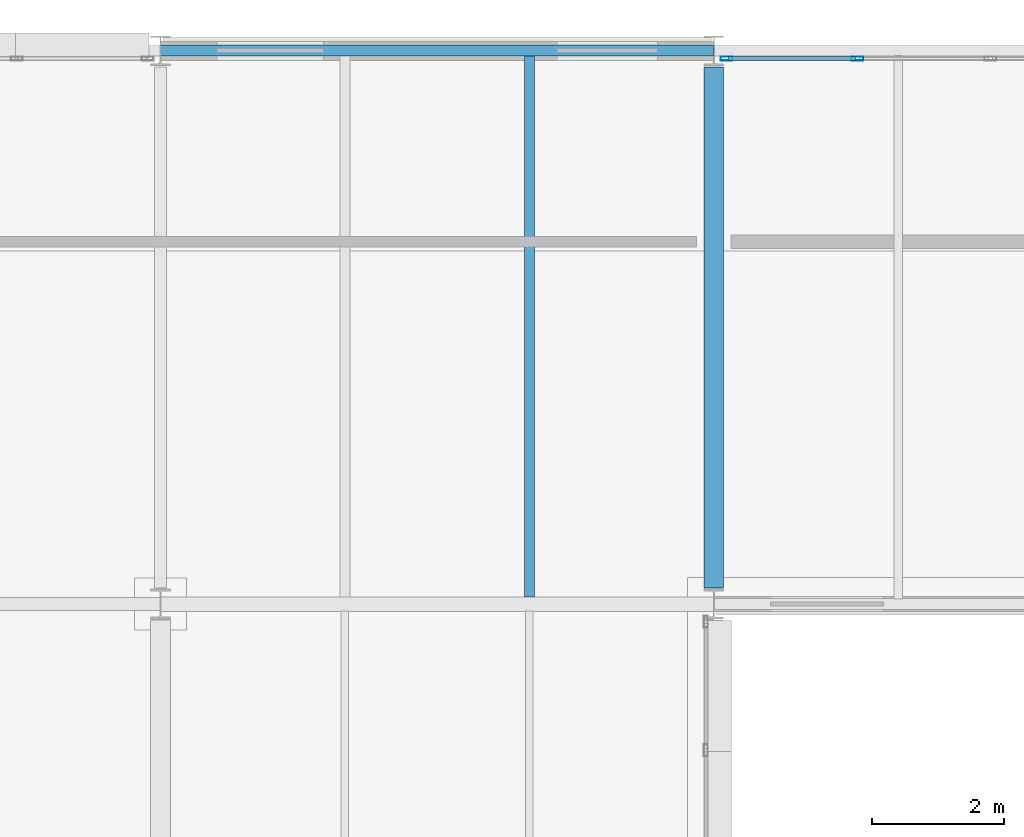
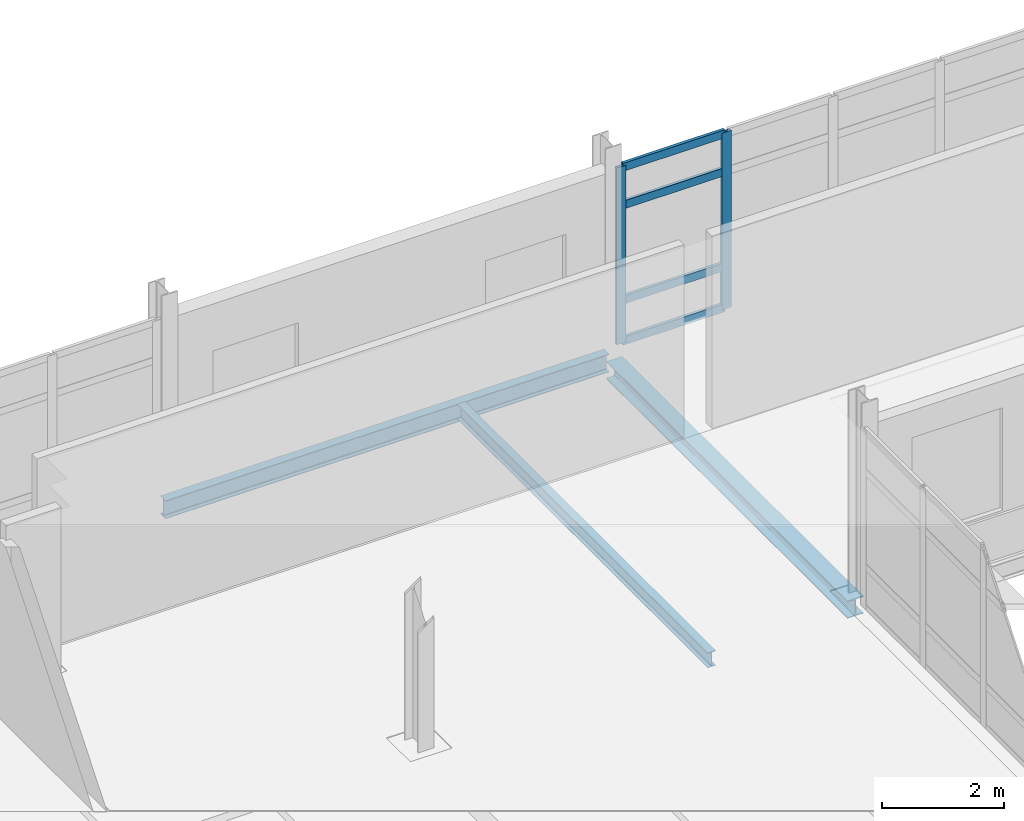
# One storey, part 55 of 103: 6 members, 3 beams, 1 element without a shape of its own.
"""IFC4 building model written with IfcOpenShell, lengths in metres."""

from ifc_helpers import new_model, si_unit, direction, frame, origin, origin_2d, place, context, subcontext, project, spatial, hollow_rectangle, i_section, extrude, material, material_profile, profile_set, type_object, element, aggregate, save


model = new_model("IFC4")

# Units and contexts
model_context = context("Model", 3, precision=1e-05, world=origin(), true_north=direction((0.0, 1.0)))
body_context = subcontext(model_context, "Body", "Model", "MODEL_VIEW")
ifc_project = project(units=[si_unit("LENGTHUNIT", "METRE"), si_unit("AREAUNIT", "SQUARE_METRE"), si_unit("VOLUMEUNIT", "CUBIC_METRE"), si_unit("PLANEANGLEUNIT", "RADIAN"), si_unit("MASSUNIT", "GRAM", prefix="KILO")], contexts=[model_context])

# Site, building, storey
site_placement = place(None, origin())
site = spatial("IfcSite", under=ifc_project, at=site_placement, CompositionType="ELEMENT")
building_placement = place(site_placement, origin())
building = spatial("IfcBuilding", under=site, at=building_placement, Name="Mersafa Astral City Hall", CompositionType="ELEMENT")
storey_placement = place(building_placement, frame((0.0, 0.0, 18.0)))
storey = spatial("IfcBuildingStorey", under=building, at=storey_placement, Name="L04", CompositionType="ELEMENT", Elevation=18.0)

# Curtain wall, members
ifc_material_1 = material(Name="Anodised bronze aluminium framing", Category="aluminium")
curtain_wall_type = type_object("IfcCurtainWallType", Name="ENV-CW-3", PredefinedType="USERDEFINED", material=ifc_material_1)
curtain_wall_placement = place(storey_placement, origin())
curtain_wall = element("IfcCurtainWall", 1, at=curtain_wall_placement, inside=storey, type_object=curtain_wall_type, Name="L04 Unitised solar curtain wall 194", ObjectType="UNITISED CURTAIN WALL", PredefinedType="USERDEFINED")
ifc_material_profile_1 = material_profile(ifc_material_1, hollow_rectangle(XDim=0.06005859375, YDim=0.179931640625, WallThickness=0.00390625, at=origin_2d()), Name="RHS 60x180x4")
ifc_profile_set_1 = profile_set([ifc_material_profile_1], Name="Anodised bronze aluminium framing")
member_type_1 = type_object("IfcMemberType", Name="ENV-CW-MUL-1", PredefinedType="MULLION", material=ifc_profile_set_1)
member_1_placement = place(storey_placement, frame((119.781005859375, 125.8798828125, -0.001953125), z_axis=(0.0, 0.0, 1.0), x_axis=(0.0, -1.0, 0.0)))
member_1 = element("IfcMember", 2, at=member_1_placement, type_object=member_type_1, Name="CW-3 mullion 4", PredefinedType="MULLION", context=body_context, shape_type="SweptSolid", body=[
    extrude(hollow_rectangle(XDim=0.06005859375, YDim=0.179931640625, WallThickness=0.00390625, at=origin_2d()), origin(), (0.0, 0.0, 1.0), 3.5390625),
])
member_2_placement = place(storey_placement, frame((117.7919921875, 125.8798828125, -0.001953125), z_axis=(0.0, 0.0, 1.0), x_axis=(0.0, -1.0, 0.0)))
member_2 = element("IfcMember", 3, at=member_2_placement, type_object=member_type_1, Name="CW-3 mullion 5", PredefinedType="MULLION", context=body_context, shape_type="SweptSolid", body=[
    extrude(hollow_rectangle(XDim=0.06005859375, YDim=0.179931640625, WallThickness=0.00390625, at=origin_2d()), origin(), (0.0, 0.0, 1.0), 3.5390625),
])
ifc_material_profile_2 = material_profile(ifc_material_1, hollow_rectangle(XDim=0.06005859375, YDim=0.159912109375, WallThickness=0.00390625, at=origin_2d()), Name="RHS 60x160x4")
ifc_profile_set_2 = profile_set([ifc_material_profile_2], Name="Anodised bronze aluminium framing")
member_type_2 = type_object("IfcMemberType", Name="ENV-CW-TRN-2", PredefinedType="USERDEFINED", material=ifc_profile_set_2)
member_3_placement = place(storey_placement, frame((119.7509765625, 125.8798828125, 0.028076171875), z_axis=(-1.0, 0.0, 0.0), x_axis=(0.0, -1.0, 0.0)))
member_3 = element("IfcMember", 4, at=member_3_placement, type_object=member_type_2, Name="CW-3 transom 4.1", ObjectType="TRANSOM", PredefinedType="USERDEFINED", context=body_context, shape_type="SweptSolid", body=[
    extrude(hollow_rectangle(XDim=0.06005859375, YDim=0.159912109375, WallThickness=0.00390625, at=origin_2d()), origin(), (0.0, 0.0, 1.0), 1.928955078125),
])
member_4_placement = place(storey_placement, frame((119.7509765625, 125.8798828125, 0.85009765625), z_axis=(-1.0, 0.0, 0.0), x_axis=(0.0, -1.0, 0.0)))
member_4 = element("IfcMember", 5, at=member_4_placement, type_object=member_type_2, Name="CW-3 transom 4.2", ObjectType="TRANSOM", PredefinedType="USERDEFINED", context=body_context, shape_type="SweptSolid", body=[
    extrude(hollow_rectangle(XDim=0.06005859375, YDim=0.159912109375, WallThickness=0.00390625, at=origin_2d()), origin(), (0.0, 0.0, 1.0), 1.928955078125),
])
member_5_placement = place(storey_placement, frame((119.7509765625, 125.8798828125, 2.75), z_axis=(-1.0, 0.0, 0.0), x_axis=(0.0, -1.0, 0.0)))
member_5 = element("IfcMember", 6, at=member_5_placement, type_object=member_type_2, Name="CW-3 transom 4.3", ObjectType="TRANSOM", PredefinedType="USERDEFINED", context=body_context, shape_type="SweptSolid", body=[
    extrude(hollow_rectangle(XDim=0.06005859375, YDim=0.159912109375, WallThickness=0.00390625, at=origin_2d()), origin(), (0.0, 0.0, 1.0), 1.928955078125),
])
member_6_placement = place(storey_placement, frame((119.7509765625, 125.8798828125, 3.507080078125), z_axis=(-1.0, 0.0, 0.0), x_axis=(0.0, -1.0, 0.0)))
member_6 = element("IfcMember", 7, at=member_6_placement, type_object=member_type_2, Name="CW-3 transom 4.4", ObjectType="TRANSOM", PredefinedType="USERDEFINED", context=body_context, shape_type="SweptSolid", body=[
    extrude(hollow_rectangle(XDim=0.06005859375, YDim=0.159912109375, WallThickness=0.00390625, at=origin_2d()), origin(), (0.0, 0.0, 1.0), 1.928955078125),
])
aggregate(curtain_wall, [member_1, member_2, member_3, member_4, member_5, member_6])

# Beams
ifc_material_2 = material(Name="Steel S355", Category="steel")
ifc_material_profile_3 = material_profile(ifc_material_2, i_section(OverallWidth=0.300048828125, OverallDepth=0.35009765625, WebThickness=0.010009765625, FlangeThickness=0.017578125, FilletRadius=0.027099609375, at=origin_2d()), Name="HEA 360")
ifc_profile_set_3 = profile_set([ifc_material_profile_3], Name="Steel S355")
beam_type_1 = type_object("IfcBeamType", Name="STR-BM-HEA360", PredefinedType="BEAM", material=ifc_profile_set_3)
beam_1_placement = place(storey_placement, frame((117.60009765625, 117.844970703125, -0.360107421875), z_axis=(0.0, 1.0, 0.0), x_axis=(-1.0, 0.0, 0.0)))
element("IfcBeam", 8, at=beam_1_placement, inside=storey, type_object=beam_type_1, Name="L04 Primary girder Y 14-14", PredefinedType="BEAM", context=body_context, shape_type="SweptSolid", body=[
    extrude(i_section(OverallWidth=0.300048828125, OverallDepth=0.35009765625, WebThickness=0.010009765625, FlangeThickness=0.017578125, FilletRadius=0.027099609375, at=origin_2d()), origin(), (0.0, 0.0, 1.0), 7.909912109375),
])
ifc_material_profile_4 = material_profile(ifc_material_2, i_section(OverallWidth=0.14990234375, OverallDepth=0.300048828125, WebThickness=0.007080078125, FlangeThickness=0.0107421875, FilletRadius=0.014892578125, at=origin_2d()), Name="IPE 300")
ifc_profile_set_4 = profile_set([ifc_material_profile_4], Name="Steel S355")
beam_type_2 = type_object("IfcBeamType", Name="STR-BM-JOIST-IPE300", PredefinedType="JOIST", material=ifc_profile_set_4)
beam_2_placement = place(storey_placement, frame((114.800048828125, 117.705078125, -0.3349609375), z_axis=(0.0, 1.0, 0.0), x_axis=(-1.0, 0.0, 0.0)))
element("IfcBeam", 9, at=beam_2_placement, inside=storey, type_object=beam_type_2, Name="L04 Composite secondary floor joist 745", PredefinedType="JOIST", context=body_context, shape_type="SweptSolid", body=[
    extrude(i_section(OverallWidth=0.14990234375, OverallDepth=0.300048828125, WebThickness=0.007080078125, FlangeThickness=0.0107421875, FilletRadius=0.014892578125, at=origin_2d()), origin(), (0.0, 0.0, 1.0), 8.21484375),
])
ifc_material_profile_5 = material_profile(ifc_material_2, i_section(OverallWidth=0.169921875, OverallDepth=0.360107421875, WebThickness=0.008056640625, FlangeThickness=0.0126953125, FilletRadius=0.01806640625, at=origin_2d()), Name="IPE 360")
ifc_profile_set_5 = profile_set([ifc_material_profile_5], Name="Steel S355")
beam_type_3 = type_object("IfcBeamType", Name="STR-BM-SPANDREL-IPE360", PredefinedType="SPANDREL", material=ifc_profile_set_5)
beam_3_placement = place(storey_placement, frame((109.202880859375, 126.0, -0.364990234375), z_axis=(1.0, 0.0, 0.0), x_axis=(0.0, 1.0, 0.0)))
element("IfcBeam", 10, at=beam_3_placement, inside=storey, type_object=beam_type_3, Name="L04 Primary girder X 13-15", PredefinedType="SPANDREL", context=body_context, shape_type="SweptSolid", body=[
    extrude(i_section(OverallWidth=0.169921875, OverallDepth=0.360107421875, WebThickness=0.008056640625, FlangeThickness=0.0126953125, FilletRadius=0.01806640625, at=origin_2d()), origin(), (0.0, 0.0, 1.0), 8.39404296875),
])

save(model, "model.ifc")
